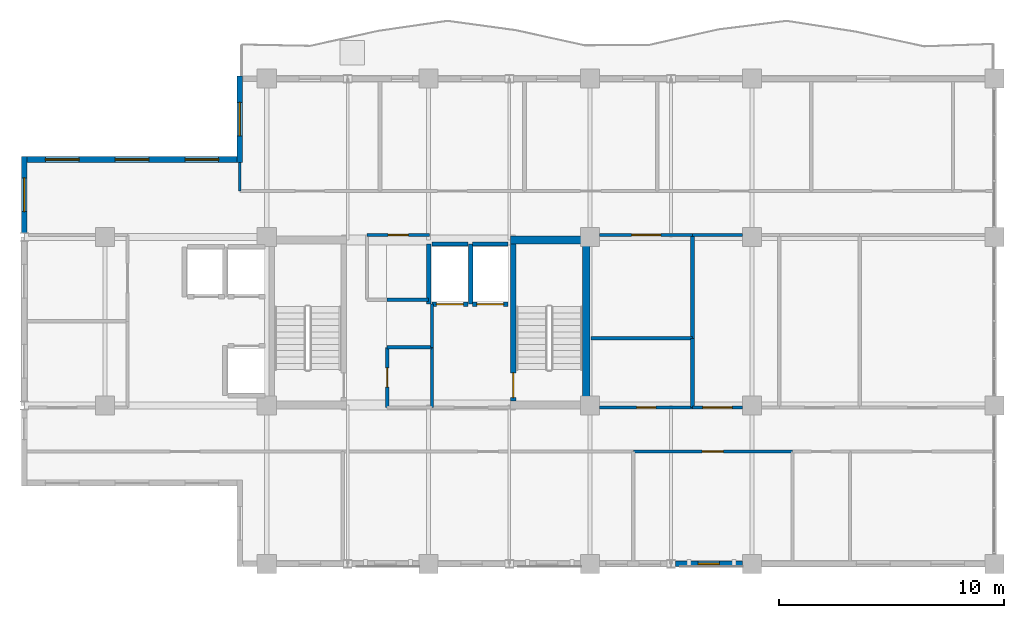
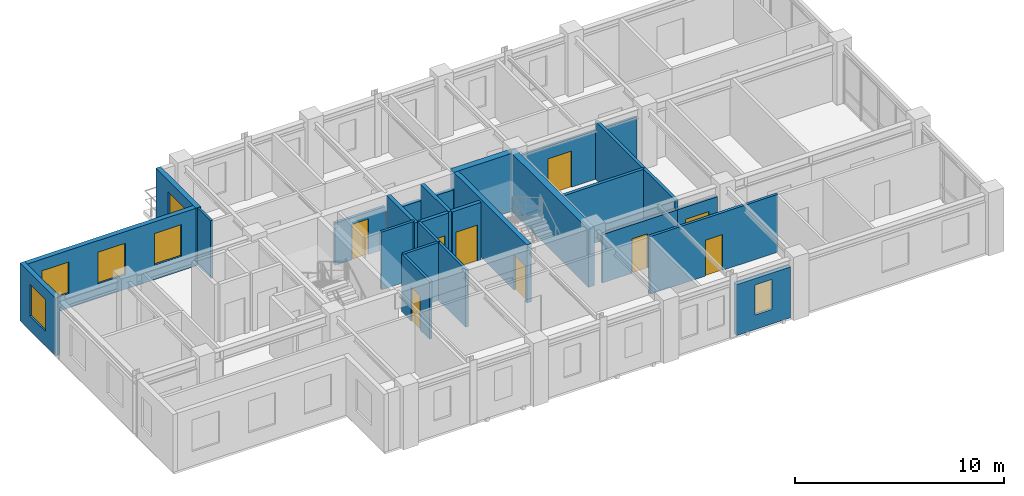
# One storey, part 7 of 10: 28 walls, 9 doors, 6 windows, 15 openings.
"""IFC4 building model written with IfcOpenShell, lengths in metres."""

from ifc_helpers import new_model, si_unit, direction, frame, frame_2d, origin, place, context, subcontext, project, spatial, rectangle, extrude, material, layer, layer_set, type_object, element, fill, save


model = new_model("IFC4")

# Units and contexts
model_context = context("Model", 3, precision=1e-05, world=origin(), true_north=direction((0.0, 1.0)))
body_context = subcontext(model_context, "Body", "Model", "MODEL_VIEW")
ifc_project = project(units=[si_unit("LENGTHUNIT", "METRE"), si_unit("AREAUNIT", "SQUARE_METRE"), si_unit("VOLUMEUNIT", "CUBIC_METRE"), si_unit("PLANEANGLEUNIT", "RADIAN"), si_unit("MASSUNIT", "GRAM", prefix="KILO")], contexts=[model_context])

# Site, building, storey
site_placement = place(None, origin())
site = spatial("IfcSite", under=ifc_project, at=site_placement, CompositionType="ELEMENT")
building_placement = place(site_placement, origin())
building = spatial("IfcBuilding", under=site, at=building_placement, Name="Kaliganga Portal Commons", CompositionType="ELEMENT")
storey_placement = place(building_placement, frame((0.0, 0.0, 294.300048828125)))
storey = spatial("IfcBuildingStorey", under=building, at=storey_placement, Name="L76", CompositionType="ELEMENT", Elevation=294.300048828125)

# Walls
ifc_material_1 = material(Name="Concrete C50/60", Category="concrete")
ifc_layer_1 = layer(ifc_material_1, 0.35009765625)
ifc_layer_set_1 = layer_set([ifc_layer_1], Name="Concrete C50/60")
wall_type_1 = type_object("IfcWallType", Name="WL-CORE-350", PredefinedType="SHEAR", material=ifc_layer_set_1)
wall_1_placement = place(storey_placement, frame((28.625, 28.5, 0.0), z_axis=(0.0, 0.0, 1.0), x_axis=(0.0, 1.0, 0.0)))
element("IfcWall", 1, at=wall_1_placement, inside=storey, type_object=wall_type_1, Name="Core A East Shear Wall L76", PredefinedType="SHEAR", context=body_context, shape_type="SweptSolid", body=[
    extrude(rectangle(XDim=7.699951171875, YDim=0.35009765625, at=frame_2d((3.85009765625, 0.0))), origin(), (0.0, 0.0, 1.0), 3.39990234375),
])
wall_2_placement = place(storey_placement, frame((25.25, 36.02490234375, 0.0), z_axis=(0.0, 0.0, 1.0), x_axis=(1.0, 0.0, 0.0)))
element("IfcWall", 2, at=wall_2_placement, inside=storey, type_object=wall_type_1, Name="Core A N-East Shear Wall L76", PredefinedType="SHEAR", context=body_context, shape_type="SweptSolid", body=[
    extrude(rectangle(XDim=3.199951171875, YDim=0.35009765625, at=frame_2d((1.60009765625, 0.0))), origin(), (0.0, 0.0, 1.0), 3.39990234375),
])

# Wall, opening, window
ifc_material_2 = material(Name="Insulated Aluminium-Clad Spandrel Assembly", Category="aluminium")
ifc_layer_2 = layer(ifc_material_2, 0.260009765625)
ifc_layer_set_2 = layer_set([ifc_layer_2], Name="Insulated Aluminium-Clad Spandrel Assembly")
wall_type_2 = type_object("IfcWallType", Name="WL-EXT-SPAND-260", PredefinedType="STANDARD", material=ifc_layer_set_2)
wall_3_placement = place(storey_placement, frame((35.573974609375, 21.60009765625, 0.0), z_axis=(0.0, 0.0, 1.0), x_axis=(-1.0, 0.0, 0.0)))
wall_3 = element("IfcWall", 3, at=wall_3_placement, inside=storey, type_object=wall_type_2, Name="Exterior Envelope Wall L76 P1-E00-S7", PredefinedType="STANDARD", context=body_context, shape_type="SweptSolid", body=[
    extrude(rectangle(XDim=2.986083984375, YDim=0.260009765625, at=frame_2d((1.4931640625, 0.0))), origin(), (0.0, 0.0, 1.0), 2.97998046875),
])
opening_1_placement = place(wall_3_placement, frame((1.01806640625, 0.0, 0.85009765625)))
opening_1 = element("IfcOpeningElement", 4, at=opening_1_placement, cuts=wall_3, Name="Opening W-04", PredefinedType="OPENING", context=body_context, shape_type="SweptSolid", body=[
    extrude(rectangle(XDim=0.949951171875, YDim=1.75, at=frame_2d((0.47509765625, 0.875))), frame((0.0, 0.14013671875, 0.0), z_axis=(0.0, -1.0, 0.0), x_axis=(1.0, 0.0, 0.0)), (0.0, 0.0, 1.0), 0.280029296875),
])
ifc_material_3 = material(Name="Thermally Broken Aluminium and Low-E Double Glazing", Category="aluminium")
window_type_1 = type_object("IfcWindowType", Name="WIN-NARROW-950", PartitioningType="SINGLE_PANEL", PredefinedType="WINDOW", material=ifc_material_3)
window_1_placement = place(opening_1_placement, origin())
window_1 = element("IfcWindow", 5, at=window_1_placement, inside=storey, type_object=window_type_1, Name="Facade Window L76-P1E00S7-00", OverallHeight=1.75, OverallWidth=0.949951171875, PartitioningType="SINGLE_PANEL", PredefinedType="WINDOW", context=body_context, shape_type="SweptSolid", body=[
    extrude(rectangle(XDim=0.949951171875, YDim=1.75, at=frame_2d((0.47509765625, 0.875))), frame((0.0, 0.030029296875, 0.0), z_axis=(0.0, -1.0, 0.0), x_axis=(1.0, 0.0, 0.0)), (0.0, 0.0, 1.0), 0.06005859375),
])
fill(opening_1, window_1)

wall_4_placement = place(storey_placement, frame((13.199951171875, 39.469970703125, 0.0), z_axis=(0.0, 0.0, 1.0), x_axis=(0.0, 1.0, 0.0)))
wall_4 = element("IfcWall", 6, at=wall_4_placement, inside=storey, type_object=wall_type_2, Name="Exterior Envelope Wall L76 P1-E03-S1", PredefinedType="STANDARD", context=body_context, shape_type="SweptSolid", body=[
    extrude(rectangle(XDim=3.860107421875, YDim=0.260009765625, at=frame_2d((1.93017578125, 0.0))), origin(), (0.0, 0.0, 1.0), 3.3798828125),
])
opening_2_placement = place(wall_4_placement, frame((1.179931640625, 0.0, 0.85009765625)))
opening_2 = element("IfcOpeningElement", 7, at=opening_2_placement, cuts=wall_4, Name="Opening W-02", PredefinedType="OPENING", context=body_context, shape_type="SweptSolid", body=[
    extrude(rectangle(XDim=1.5, YDim=1.85009765625, at=frame_2d((0.75, 0.925048828125))), frame((0.0, 0.14013671875, 0.0), z_axis=(0.0, -1.0, 0.0), x_axis=(1.0, 0.0, 0.0)), (0.0, 0.0, 1.0), 0.280029296875),
])
window_type_2 = type_object("IfcWindowType", Name="WIN-STD-1500", PartitioningType="DOUBLE_PANEL_VERTICAL", PredefinedType="WINDOW", material=ifc_material_3)
window_2_placement = place(opening_2_placement, origin())
window_2 = element("IfcWindow", 8, at=window_2_placement, inside=storey, type_object=window_type_2, Name="Facade Window L76-P1E03S1-00", OverallHeight=1.85009765625, OverallWidth=1.5, PartitioningType="SINGLE_PANEL", PredefinedType="WINDOW", context=body_context, shape_type="SweptSolid", body=[
    extrude(rectangle(XDim=1.5, YDim=1.85009765625, at=frame_2d((0.75, 0.925048828125))), frame((0.0, 0.030029296875, 0.0), z_axis=(0.0, -1.0, 0.0), x_axis=(1.0, 0.0, 0.0)), (0.0, 0.0, 1.0), 0.06005859375),
])
fill(opening_2, window_2)

# Wall, openings, windows
wall_5_placement = place(storey_placement, frame((3.735107421875, 39.60009765625, 0.0), z_axis=(0.0, 0.0, 1.0), x_axis=(1.0, 0.0, 0.0)))
wall_5 = element("IfcWall", 9, at=wall_5_placement, inside=storey, type_object=wall_type_2, Name="Exterior Envelope Wall L76 P1-E04-S1", PredefinedType="STANDARD", context=body_context, shape_type="SweptSolid", body=[
    extrude(rectangle(XDim=9.329833984375, YDim=0.260009765625, at=frame_2d((4.6650390625, 0.0))), origin(), (0.0, 0.0, 1.0), 3.3798828125),
])
opening_3_placement = place(wall_5_placement, frame((0.804931640625, 0.0, 0.85009765625)))
opening_3 = element("IfcOpeningElement", 10, at=opening_3_placement, cuts=wall_5, Name="Opening W-02", PredefinedType="OPENING", context=body_context, shape_type="SweptSolid", body=[
    extrude(rectangle(XDim=1.5, YDim=1.85009765625, at=frame_2d((0.75, 0.925048828125))), frame((0.0, 0.14013671875, 0.0), z_axis=(0.0, -1.0, 0.0), x_axis=(1.0, 0.0, 0.0)), (0.0, 0.0, 1.0), 0.280029296875),
])
opening_4_placement = place(wall_5_placement, frame((3.9150390625, 0.0, 0.85009765625)))
opening_4 = element("IfcOpeningElement", 11, at=opening_4_placement, cuts=wall_5, Name="Opening W-02", PredefinedType="OPENING", context=body_context, shape_type="SweptSolid", body=[
    extrude(rectangle(XDim=1.5, YDim=1.85009765625, at=frame_2d((0.75, 0.925048828125))), frame((0.0, 0.14013671875, 0.0), z_axis=(0.0, -1.0, 0.0), x_axis=(1.0, 0.0, 0.0)), (0.0, 0.0, 1.0), 0.280029296875),
])
opening_5_placement = place(wall_5_placement, frame((7.02490234375, 0.0, 0.85009765625)))
opening_5 = element("IfcOpeningElement", 12, at=opening_5_placement, cuts=wall_5, Name="Opening W-02", PredefinedType="OPENING", context=body_context, shape_type="SweptSolid", body=[
    extrude(rectangle(XDim=1.5, YDim=1.85009765625, at=frame_2d((0.75, 0.925048828125))), frame((0.0, 0.14013671875, 0.0), z_axis=(0.0, -1.0, 0.0), x_axis=(1.0, 0.0, 0.0)), (0.0, 0.0, 1.0), 0.280029296875),
])
window_3_placement = place(opening_3_placement, origin())
window_3 = element("IfcWindow", 13, at=window_3_placement, inside=storey, type_object=window_type_2, Name="Facade Window L76-P1E04S1-00", OverallHeight=1.85009765625, OverallWidth=1.5, PartitioningType="SINGLE_PANEL", PredefinedType="WINDOW", context=body_context, shape_type="SweptSolid", body=[
    extrude(rectangle(XDim=1.5, YDim=1.85009765625, at=frame_2d((0.75, 0.925048828125))), frame((0.0, 0.030029296875, 0.0), z_axis=(0.0, -1.0, 0.0), x_axis=(1.0, 0.0, 0.0)), (0.0, 0.0, 1.0), 0.06005859375),
])
fill(opening_3, window_3)
window_4_placement = place(opening_4_placement, origin())
window_4 = element("IfcWindow", 14, at=window_4_placement, inside=storey, type_object=window_type_2, Name="Facade Window L76-P1E04S1-01", OverallHeight=1.85009765625, OverallWidth=1.5, PartitioningType="SINGLE_PANEL", PredefinedType="WINDOW", context=body_context, shape_type="SweptSolid", body=[
    extrude(rectangle(XDim=1.5, YDim=1.85009765625, at=frame_2d((0.75, 0.925048828125))), frame((0.0, 0.030029296875, 0.0), z_axis=(0.0, -1.0, 0.0), x_axis=(1.0, 0.0, 0.0)), (0.0, 0.0, 1.0), 0.06005859375),
])
fill(opening_4, window_4)
window_5_placement = place(opening_5_placement, origin())
window_5 = element("IfcWindow", 15, at=window_5_placement, inside=storey, type_object=window_type_2, Name="Facade Window L76-P1E04S1-02", OverallHeight=1.85009765625, OverallWidth=1.5, PartitioningType="SINGLE_PANEL", PredefinedType="WINDOW", context=body_context, shape_type="SweptSolid", body=[
    extrude(rectangle(XDim=1.5, YDim=1.85009765625, at=frame_2d((0.75, 0.925048828125))), frame((0.0, 0.030029296875, 0.0), z_axis=(0.0, -1.0, 0.0), x_axis=(1.0, 0.0, 0.0)), (0.0, 0.0, 1.0), 0.06005859375),
])
fill(opening_5, window_5)

# Wall, opening, window
wall_6_placement = place(storey_placement, frame((3.60009765625, 36.3369140625, 0.0), z_axis=(0.0, 0.0, 1.0), x_axis=(0.0, 1.0, 0.0)))
wall_6 = element("IfcWall", 16, at=wall_6_placement, inside=storey, type_object=wall_type_2, Name="Exterior Envelope Wall L76 P1-E05-S1", PredefinedType="STANDARD", context=body_context, shape_type="SweptSolid", body=[
    extrude(rectangle(XDim=3.39306640625, YDim=0.260009765625, at=frame_2d((1.696533203125, 0.0))), origin(), (0.0, 0.0, 1.0), 3.3798828125),
])
opening_6_placement = place(wall_6_placement, frame((0.946533203125, 0.0, 0.85009765625)))
opening_6 = element("IfcOpeningElement", 17, at=opening_6_placement, cuts=wall_6, Name="Opening W-02", PredefinedType="OPENING", context=body_context, shape_type="SweptSolid", body=[
    extrude(rectangle(XDim=1.5, YDim=1.85009765625, at=frame_2d((0.75, 0.925048828125))), frame((0.0, 0.14013671875, 0.0), z_axis=(0.0, -1.0, 0.0), x_axis=(1.0, 0.0, 0.0)), (0.0, 0.0, 1.0), 0.280029296875),
])
window_6_placement = place(opening_6_placement, origin())
window_6 = element("IfcWindow", 18, at=window_6_placement, inside=storey, type_object=window_type_2, Name="Facade Window L76-P1E05S1-00", OverallHeight=1.85009765625, OverallWidth=1.5, PartitioningType="SINGLE_PANEL", PredefinedType="WINDOW", context=body_context, shape_type="SweptSolid", body=[
    extrude(rectangle(XDim=1.5, YDim=1.85009765625, at=frame_2d((0.75, 0.925048828125))), frame((0.0, 0.030029296875, 0.0), z_axis=(0.0, -1.0, 0.0), x_axis=(1.0, 0.0, 0.0)), (0.0, 0.0, 1.0), 0.06005859375),
])
fill(opening_6, window_6)

# Wall, opening, door
ifc_material_4 = material(Name="Fire-Rated Gypsum Board on Steel Stud", Category="steel")
ifc_layer_3 = layer(ifc_material_4, 0.14990234375)
ifc_layer_set_3 = layer_set([ifc_layer_3], Name="Fire-Rated Gypsum Board on Steel Stud")
wall_type_3 = type_object("IfcWallType", Name="WL-PART-CORR-150", PredefinedType="PARTITIONING", material=ifc_layer_set_3)
wall_7_placement = place(storey_placement, frame((30.719970703125, 26.60009765625, 0.0), z_axis=(0.0, 0.0, 1.0), x_axis=(1.0, 0.0, 0.0)))
wall_7 = element("IfcWall", 19, at=wall_7_placement, inside=storey, type_object=wall_type_3, Name="Interior Partition L76-003", PredefinedType="PARTITIONING", context=body_context, shape_type="SweptSolid", body=[
    extrude(rectangle(XDim=7.080078125, YDim=0.14990234375, at=frame_2d((3.5400390625, 0.0))), origin(), (0.0, 0.0, 1.0), 3.3798828125),
])
opening_7_placement = place(wall_7_placement, frame((3.06494140625, 0.0, 0.0)))
opening_7 = element("IfcOpeningElement", 20, at=opening_7_placement, cuts=wall_7, Name="Opening UD-01", PredefinedType="OPENING", context=body_context, shape_type="SweptSolid", body=[
    extrude(rectangle(XDim=0.949951171875, YDim=2.10009765625, at=frame_2d((0.47509765625, 1.050048828125))), frame((0.0, 0.0849609375, 0.0), z_axis=(0.0, -1.0, 0.0), x_axis=(1.0, 0.0, 0.0)), (0.0, 0.0, 1.0), 0.169921875),
])
ifc_material_5 = material(Name="Solid-Core Timber Acoustic Fire Door", Category="wood")
door_type_1 = type_object("IfcDoorType", Name="DR-UNIT-950", OperationType="NOTDEFINED", PredefinedType="DOOR", material=ifc_material_5)
door_1_placement = place(opening_7_placement, origin())
door_1 = element("IfcDoor", 21, at=door_1_placement, inside=storey, type_object=door_type_1, Name="Interior Door L76-AS03", OperationType="SINGLE_SWING_LEFT", OverallHeight=2.10009765625, OverallWidth=0.949951171875, PredefinedType="DOOR", context=body_context, shape_type="SweptSolid", body=[
    extrude(rectangle(XDim=0.949951171875, YDim=2.10009765625, at=frame_2d((0.47509765625, 1.050048828125))), frame((0.0, 0.02490234375, 0.0), z_axis=(0.0, -1.0, 0.0), x_axis=(1.0, 0.0, 0.0)), (0.0, 0.0, 1.0), 0.050048828125),
])
fill(opening_7, door_1)

wall_8_placement = place(storey_placement, frame((29.22509765625, 28.56005859375, 0.0), z_axis=(0.0, 0.0, 1.0), x_axis=(1.0, 0.0, 0.0)))
wall_8 = element("IfcWall", 22, at=wall_8_placement, inside=storey, type_object=wall_type_3, Name="Interior Partition L76-014", PredefinedType="PARTITIONING", context=body_context, shape_type="SweptSolid", body=[
    extrude(rectangle(XDim=4.135009765625, YDim=0.14990234375, at=frame_2d((2.0673828125, 0.0))), origin(), (0.0, 0.0, 1.0), 2.829833984375),
])
opening_8_placement = place(wall_8_placement, frame((1.637451171875, 0.0, 0.0)))
opening_8 = element("IfcOpeningElement", 23, at=opening_8_placement, cuts=wall_8, Name="Opening WD-02", PredefinedType="OPENING", context=body_context, shape_type="SweptSolid", body=[
    extrude(rectangle(XDim=0.860107421875, YDim=2.02001953125, at=frame_2d((0.43017578125, 1.010009765625))), frame((0.0, 0.0849609375, 0.0), z_axis=(0.0, -1.0, 0.0), x_axis=(1.0, 0.0, 0.0)), (0.0, 0.0, 1.0), 0.169921875),
])
ifc_material_6 = material(Name="Fire-Rated Utility Closet Door", Category="wood")
door_type_2 = type_object("IfcDoorType", Name="DR-STORE-800", OperationType="NOTDEFINED", PredefinedType="DOOR", material=ifc_material_6)
door_2_placement = place(opening_8_placement, origin())
door_2 = element("IfcDoor", 24, at=door_2_placement, inside=storey, type_object=door_type_2, Name="Interior Door L76-CSRV_A1", OperationType="SINGLE_SWING_RIGHT", OverallHeight=2.02001953125, OverallWidth=0.860107421875, PredefinedType="DOOR", context=body_context, shape_type="SweptSolid", body=[
    extrude(rectangle(XDim=0.860107421875, YDim=2.02001953125, at=frame_2d((0.43017578125, 1.010009765625))), frame((0.0, 0.02490234375, 0.0), z_axis=(0.0, -1.0, 0.0), x_axis=(1.0, 0.0, 0.0)), (0.0, 0.0, 1.0), 0.050048828125),
])
fill(opening_8, door_2)

wall_9_placement = place(storey_placement, frame((29.22509765625, 36.239990234375, 0.0), z_axis=(0.0, 0.0, 1.0), x_axis=(1.0, 0.0, 0.0)))
wall_9 = element("IfcWall", 25, at=wall_9_placement, inside=storey, type_object=wall_type_3, Name="Interior Partition L76-015", PredefinedType="PARTITIONING", context=body_context, shape_type="SweptSolid", body=[
    extrude(rectangle(XDim=4.135009765625, YDim=0.14990234375, at=frame_2d((2.0673828125, 0.0))), origin(), (0.0, 0.0, 1.0), 2.829833984375),
])
opening_9_placement = place(wall_9_placement, frame((1.41748046875, 0.0, 0.0)))
opening_9 = element("IfcOpeningElement", 26, at=opening_9_placement, cuts=wall_9, Name="Opening RD-03", PredefinedType="OPENING", context=body_context, shape_type="SweptSolid", body=[
    extrude(rectangle(XDim=1.300048828125, YDim=2.1201171875, at=frame_2d((0.64990234375, 1.06005859375))), frame((0.0, 0.0849609375, 0.0), z_axis=(0.0, -1.0, 0.0), x_axis=(1.0, 0.0, 0.0)), (0.0, 0.0, 1.0), 0.169921875),
])
ifc_material_7 = material(Name="Glazed Timber Seminar Vision Door", Category="wood")
door_type_3 = type_object("IfcDoorType", Name="DR-STUDY-1300", OperationType="DOUBLE_DOOR_SINGLE_SWING", PredefinedType="DOOR", material=ifc_material_7)
door_3_placement = place(opening_9_placement, origin())
door_3 = element("IfcDoor", 27, at=door_3_placement, inside=storey, type_object=door_type_3, Name="Interior Door L76-CSRV_A2", OperationType="DOUBLE_DOOR_SINGLE_SWING", OverallHeight=2.1201171875, OverallWidth=1.300048828125, PredefinedType="DOOR", context=body_context, shape_type="SweptSolid", body=[
    extrude(rectangle(XDim=1.300048828125, YDim=2.1201171875, at=frame_2d((0.64990234375, 1.06005859375))), frame((0.0, 0.02490234375, 0.0), z_axis=(0.0, -1.0, 0.0), x_axis=(1.0, 0.0, 0.0)), (0.0, 0.0, 1.0), 0.050048828125),
])
fill(opening_9, door_3)

wall_10_placement = place(storey_placement, frame((33.360107421875, 28.56005859375, 0.0), z_axis=(0.0, 0.0, 1.0), x_axis=(1.0, 0.0, 0.0)))
wall_10 = element("IfcWall", 28, at=wall_10_placement, inside=storey, type_object=wall_type_3, Name="Interior Partition L76-016", PredefinedType="PARTITIONING", context=body_context, shape_type="SweptSolid", body=[
    extrude(rectangle(XDim=2.21484375, YDim=0.14990234375, at=frame_2d((1.107421875, 0.0))), origin(), (0.0, 0.0, 1.0), 2.829833984375),
])
opening_10_placement = place(wall_10_placement, frame((0.45751953125, 0.0, 0.0)))
opening_10 = element("IfcOpeningElement", 29, at=opening_10_placement, cuts=wall_10, Name="Opening RD-03", PredefinedType="OPENING", context=body_context, shape_type="SweptSolid", body=[
    extrude(rectangle(XDim=1.300048828125, YDim=2.1201171875, at=frame_2d((0.64990234375, 1.06005859375))), frame((0.0, 0.0849609375, 0.0), z_axis=(0.0, -1.0, 0.0), x_axis=(1.0, 0.0, 0.0)), (0.0, 0.0, 1.0), 0.169921875),
])
door_4_placement = place(opening_10_placement, origin())
door_4 = element("IfcDoor", 30, at=door_4_placement, inside=storey, type_object=door_type_3, Name="Interior Door L76-AE01", OperationType="DOUBLE_DOOR_SINGLE_SWING", OverallHeight=2.1201171875, OverallWidth=1.300048828125, PredefinedType="DOOR", context=body_context, shape_type="SweptSolid", body=[
    extrude(rectangle(XDim=1.300048828125, YDim=2.1201171875, at=frame_2d((0.64990234375, 1.06005859375))), frame((0.0, 0.02490234375, 0.0), z_axis=(0.0, -1.0, 0.0), x_axis=(1.0, 0.0, 0.0)), (0.0, 0.0, 1.0), 0.050048828125),
])
fill(opening_10, door_4)

# Wall
wall_11_placement = place(storey_placement, frame((33.360107421875, 36.239990234375, 0.0), z_axis=(0.0, 0.0, 1.0), x_axis=(1.0, 0.0, 0.0)))
element("IfcWall", 31, at=wall_11_placement, inside=storey, type_object=wall_type_3, Name="Interior Partition L76-018", PredefinedType="PARTITIONING", context=body_context, shape_type="SweptSolid", body=[
    extrude(rectangle(XDim=2.21484375, YDim=0.14990234375, at=frame_2d((1.107421875, 0.0))), origin(), (0.0, 0.0, 1.0), 2.829833984375),
])

# Wall, opening, door
wall_12_placement = place(storey_placement, frame((18.860107421875, 36.239990234375, 0.0), z_axis=(0.0, 0.0, 1.0), x_axis=(1.0, 0.0, 0.0)))
wall_12 = element("IfcWall", 32, at=wall_12_placement, inside=storey, type_object=wall_type_3, Name="Interior Partition L76-025", PredefinedType="PARTITIONING", context=body_context, shape_type="SweptSolid", body=[
    extrude(rectangle(XDim=2.77978515625, YDim=0.14990234375, at=frame_2d((1.389892578125, 0.0))), origin(), (0.0, 0.0, 1.0), 2.47998046875),
])
opening_11_placement = place(wall_12_placement, frame((0.93994140625, 0.0, 0.0)))
opening_11 = element("IfcOpeningElement", 33, at=opening_11_placement, cuts=wall_12, Name="Opening RD-01", PredefinedType="OPENING", context=body_context, shape_type="SweptSolid", body=[
    extrude(rectangle(XDim=0.89990234375, YDim=2.080078125, at=frame_2d((0.449951171875, 1.0400390625))), frame((0.0, 0.0849609375, 0.0), z_axis=(0.0, -1.0, 0.0), x_axis=(1.0, 0.0, 0.0)), (0.0, 0.0, 1.0), 0.169921875),
])
ifc_material_8 = material(Name="Engineered Timber Flush Door", Category="wood")
door_type_4 = type_object("IfcDoorType", Name="DR-ROOM-900", OperationType="NOTDEFINED", PredefinedType="DOOR", material=ifc_material_8)
door_5_placement = place(opening_11_placement, origin())
door_5 = element("IfcDoor", 34, at=door_5_placement, inside=storey, type_object=door_type_4, Name="Interior Door L76-CREC_A1", OperationType="SINGLE_SWING_LEFT", OverallHeight=2.080078125, OverallWidth=0.89990234375, PredefinedType="DOOR", context=body_context, shape_type="SweptSolid", body=[
    extrude(rectangle(XDim=0.89990234375, YDim=2.080078125, at=frame_2d((0.449951171875, 1.0400390625))), frame((0.0, 0.02490234375, 0.0), z_axis=(0.0, -1.0, 0.0), x_axis=(1.0, 0.0, 0.0)), (0.0, 0.0, 1.0), 0.050048828125),
])
fill(opening_11, door_5)

wall_13_placement = place(storey_placement, frame((19.760009765625, 28.56005859375, 0.0), z_axis=(0.0, 0.0, 1.0), x_axis=(0.0, 1.0, 0.0)))
wall_13 = element("IfcWall", 35, at=wall_13_placement, inside=storey, type_object=wall_type_3, Name="Interior Partition L76-026", PredefinedType="PARTITIONING", context=body_context, shape_type="SweptSolid", body=[
    extrude(rectangle(XDim=2.679931640625, YDim=0.14990234375, at=frame_2d((1.33984375, 0.0))), origin(), (0.0, 0.0, 1.0), 3.3798828125),
])
opening_12_placement = place(wall_13_placement, frame((0.909912109375, 0.0, 0.0)))
opening_12 = element("IfcOpeningElement", 36, at=opening_12_placement, cuts=wall_13, Name="Opening WD-02", PredefinedType="OPENING", context=body_context, shape_type="SweptSolid", body=[
    extrude(rectangle(XDim=0.860107421875, YDim=2.02001953125, at=frame_2d((0.43017578125, 1.010009765625))), frame((0.0, 0.0849609375, 0.0), z_axis=(0.0, -1.0, 0.0), x_axis=(1.0, 0.0, 0.0)), (0.0, 0.0, 1.0), 0.169921875),
])
door_6_placement = place(opening_12_placement, origin())
door_6 = element("IfcDoor", 37, at=door_6_placement, inside=storey, type_object=door_type_2, Name="Interior Door L76-CIN_A1", OperationType="SINGLE_SWING_RIGHT", OverallHeight=2.02001953125, OverallWidth=0.860107421875, PredefinedType="DOOR", context=body_context, shape_type="SweptSolid", body=[
    extrude(rectangle(XDim=0.860107421875, YDim=2.02001953125, at=frame_2d((0.43017578125, 1.010009765625))), frame((0.0, 0.02490234375, 0.0), z_axis=(0.0, -1.0, 0.0), x_axis=(1.0, 0.0, 0.0)), (0.0, 0.0, 1.0), 0.050048828125),
])
fill(opening_12, door_6)

# Walls
wall_14_placement = place(storey_placement, frame((21.760009765625, 28.56005859375, 0.0), z_axis=(0.0, 0.0, 1.0), x_axis=(0.0, 1.0, 0.0)))
element("IfcWall", 38, at=wall_14_placement, inside=storey, type_object=wall_type_3, Name="Interior Partition L76-027", PredefinedType="PARTITIONING", context=body_context, shape_type="SweptSolid", body=[
    extrude(rectangle(XDim=2.679931640625, YDim=0.14990234375, at=frame_2d((1.33984375, 0.0))), origin(), (0.0, 0.0, 1.0), 3.3798828125),
])
wall_15_placement = place(storey_placement, frame((19.760009765625, 31.239990234375, 0.0), z_axis=(0.0, 0.0, 1.0), x_axis=(1.0, 0.0, 0.0)))
element("IfcWall", 39, at=wall_15_placement, inside=storey, type_object=wall_type_3, Name="Interior Partition L76-030", PredefinedType="PARTITIONING", context=body_context, shape_type="SweptSolid", body=[
    extrude(rectangle(XDim=2.0, YDim=0.14990234375, at=frame_2d((1.0, 0.0))), origin(), (0.0, 0.0, 1.0), 3.3798828125),
])
wall_16_placement = place(storey_placement, frame((19.760009765625, 33.360107421875, 0.0), z_axis=(0.0, 0.0, 1.0), x_axis=(1.0, 0.0, 0.0)))
element("IfcWall", 40, at=wall_16_placement, inside=storey, type_object=wall_type_3, Name="Interior Partition L76-031", PredefinedType="PARTITIONING", context=body_context, shape_type="SweptSolid", body=[
    extrude(rectangle(XDim=1.85009765625, YDim=0.14990234375, at=frame_2d((0.925048828125, 0.0))), origin(), (0.0, 0.0, 1.0), 3.3798828125),
])
wall_17_placement = place(storey_placement, frame((21.760009765625, 31.239990234375, 0.0), z_axis=(0.0, 0.0, 1.0), x_axis=(0.0, 1.0, 0.0)))
element("IfcWall", 41, at=wall_17_placement, inside=storey, type_object=wall_type_3, Name="Interior Partition L76-053", PredefinedType="PARTITIONING", context=body_context, shape_type="SweptSolid", body=[
    extrude(rectangle(XDim=1.919921875, YDim=0.14990234375, at=frame_2d((0.9599609375, 0.0))), origin(), (0.0, 0.0, 1.0), 3.3798828125),
])
ifc_material_9 = material(Name="Moisture-Resistant Gypsum Partition", Category="gypsum")
ifc_layer_4 = layer(ifc_material_9, 0.114990234375)
ifc_layer_set_4 = layer_set([ifc_layer_4], Name="Moisture-Resistant Gypsum Partition")
wall_type_4 = type_object("IfcWallType", Name="WL-PART-ROOM-115", PredefinedType="PARTITIONING", material=ifc_layer_set_4)
wall_18_placement = place(storey_placement, frame((13.199951171875, 38.199951171875, 0.0), z_axis=(0.0, 0.0, 1.0), x_axis=(0.0, 1.0, 0.0)))
element("IfcWall", 42, at=wall_18_placement, inside=storey, type_object=wall_type_4, Name="Interior Partition L76-036", PredefinedType="PARTITIONING", context=body_context, shape_type="SweptSolid", body=[
    extrude(rectangle(XDim=1.26806640625, YDim=0.114990234375, at=frame_2d((0.634033203125, 0.0))), origin(), (0.0, 0.0, 1.0), 3.3798828125),
])
ifc_material_10 = material(Name="Twin-Stud Acoustic Gypsum Partition", Category="gypsum")
ifc_layer_5 = layer(ifc_material_10, 0.1650390625)
ifc_layer_set_5 = layer_set([ifc_layer_5], Name="Twin-Stud Acoustic Gypsum Partition")
wall_type_5 = type_object("IfcWallType", Name="WL-PART-UNIT-165", PredefinedType="PARTITIONING", material=ifc_layer_set_5)
wall_19_placement = place(storey_placement, frame((33.360107421875, 31.639892578125, 0.0), z_axis=(0.0, 0.0, 1.0), x_axis=(0.0, 1.0, 0.0)))
element("IfcWall", 43, at=wall_19_placement, inside=storey, type_object=wall_type_5, Name="Interior Partition L76-046", PredefinedType="PARTITIONING", context=body_context, shape_type="SweptSolid", body=[
    extrude(rectangle(XDim=4.60009765625, YDim=0.1650390625, at=frame_2d((2.300048828125, 0.0))), origin(), (0.0, 0.0, 1.0), 3.3798828125),
])
wall_20_placement = place(storey_placement, frame((28.840087890625, 31.639892578125, 0.0), z_axis=(0.0, 0.0, 1.0), x_axis=(1.0, 0.0, 0.0)))
element("IfcWall", 44, at=wall_20_placement, inside=storey, type_object=wall_type_5, Name="Interior Partition L76-050", PredefinedType="PARTITIONING", context=body_context, shape_type="SweptSolid", body=[
    extrude(rectangle(XDim=4.52001953125, YDim=0.1650390625, at=frame_2d((2.260009765625, 0.0))), origin(), (0.0, 0.0, 1.0), 3.3798828125),
])
wall_21_placement = place(storey_placement, frame((33.360107421875, 28.56005859375, 0.0), z_axis=(0.0, 0.0, 1.0), x_axis=(0.0, 1.0, 0.0)))
element("IfcWall", 45, at=wall_21_placement, inside=storey, type_object=wall_type_5, Name="Interior Partition L76-052", PredefinedType="PARTITIONING", context=body_context, shape_type="SweptSolid", body=[
    extrude(rectangle(XDim=3.079833984375, YDim=0.1650390625, at=frame_2d((1.5400390625, 0.0))), origin(), (0.0, 0.0, 1.0), 3.3798828125),
])

# Wall, opening, door
ifc_material_11 = material(Name="Fire-Rated Shaftwall Masonry Assembly", Category="masonry")
ifc_layer_6 = layer(ifc_material_11, 0.199951171875)
ifc_layer_set_6 = layer_set([ifc_layer_6], Name="Fire-Rated Shaftwall Masonry Assembly")
wall_type_6 = type_object("IfcWallType", Name="WL-SHAFT-200", PredefinedType="PARTITIONING", material=ifc_layer_set_6)
wall_22_placement = place(storey_placement, frame((21.75, 33.159912109375, 0.0), z_axis=(0.0, 0.0, 1.0), x_axis=(1.0, 0.0, 0.0)))
wall_22 = element("IfcWall", 46, at=wall_22_placement, inside=storey, type_object=wall_type_6, Name="Lift FFL-1 Hoistway Shaft Wall L76-S", PredefinedType="PARTITIONING", context=body_context, shape_type="SweptSolid", body=[
    extrude(rectangle(XDim=1.60009765625, YDim=0.199951171875, at=frame_2d((0.800048828125, 0.0))), origin(), (0.0, 0.0, 1.0), 3.3798828125),
])
opening_13_placement = place(wall_22_placement, frame((0.199951171875, 0.0, 0.0)))
opening_13 = element("IfcOpeningElement", 47, at=opening_13_placement, cuts=wall_22, Name="Opening LD-02", PredefinedType="OPENING", context=body_context, shape_type="SweptSolid", body=[
    extrude(rectangle(XDim=1.199951171875, YDim=2.1201171875, at=frame_2d((0.60009765625, 1.06005859375))), frame((0.0, 0.10986328125, 0.0), z_axis=(0.0, -1.0, 0.0), x_axis=(1.0, 0.0, 0.0)), (0.0, 0.0, 1.0), 0.219970703125),
])
ifc_material_12 = material(Name="Brushed Stainless Steel 316 Stretcher Lift Landing Door", Category="steel")
door_type_5 = type_object("IfcDoorType", Name="DR-LIFT-1200", OperationType="SLIDING_TO_RIGHT", PredefinedType="DOOR", material=ifc_material_12)
door_7_placement = place(opening_13_placement, origin())
door_7 = element("IfcDoor", 48, at=door_7_placement, inside=storey, type_object=door_type_5, Name="Lift FFL-1 Sliding Landing Door L76", OperationType="SLIDING_TO_RIGHT", OverallHeight=2.1201171875, OverallWidth=1.199951171875, PredefinedType="DOOR", context=body_context, shape_type="SweptSolid", body=[
    extrude(rectangle(XDim=1.199951171875, YDim=2.1201171875, at=frame_2d((0.60009765625, 1.06005859375))), frame((0.0, 0.02490234375, 0.0), z_axis=(0.0, -1.0, 0.0), x_axis=(1.0, 0.0, 0.0)), (0.0, 0.0, 1.0), 0.050048828125),
])
fill(opening_13, door_7)

# Walls
wall_23_placement = place(storey_placement, frame((21.75, 35.840087890625, 0.0), z_axis=(0.0, 0.0, 1.0), x_axis=(1.0, 0.0, 0.0)))
element("IfcWall", 49, at=wall_23_placement, inside=storey, type_object=wall_type_6, Name="Lift FFL-1 Hoistway Shaft Wall L76-N", PredefinedType="PARTITIONING", context=body_context, shape_type="SweptSolid", body=[
    extrude(rectangle(XDim=1.60009765625, YDim=0.199951171875, at=frame_2d((0.800048828125, 0.0))), origin(), (0.0, 0.0, 1.0), 2.47998046875),
])
for number, where, z_axis, x_axis, name in (
    (50, (21.610107421875, 33.159912109375, 0.0), (0.0, 0.0, 1.0), (0.0, 1.0, 0.0), "Lift FFL-1 Hoistway Shaft Wall L76-W"),
    (51, (23.489990234375, 33.159912109375, 0.0), (0.0, 0.0, 1.0), (0.0, 1.0, 0.0), "Lift FFL-1 Hoistway Shaft Wall L76-E"),
):
    element("IfcWall", number, at=place(storey_placement, frame(where, z_axis=z_axis, x_axis=x_axis)), inside=storey, type_object=wall_type_6, Name=name, PredefinedType="PARTITIONING", context=body_context, shape_type="SweptSolid", body=[
        extrude(rectangle(XDim=2.68017578125, YDim=0.199951171875, at=frame_2d((1.340087890625, 0.0))), origin(), (0.0, 0.0, 1.0), 3.3798828125),
    ])

# Wall, opening, door
wall_24_placement = place(storey_placement, frame((23.550048828125, 33.159912109375, 0.0), z_axis=(0.0, 0.0, 1.0), x_axis=(1.0, 0.0, 0.0)))
wall_24 = element("IfcWall", 52, at=wall_24_placement, inside=storey, type_object=wall_type_6, Name="Lift FFL-2 Hoistway Shaft Wall L76-S", PredefinedType="PARTITIONING", context=body_context, shape_type="SweptSolid", body=[
    extrude(rectangle(XDim=1.599853515625, YDim=0.199951171875, at=frame_2d((0.7998046875, 0.0))), origin(), (0.0, 0.0, 1.0), 3.3798828125),
])
opening_14_placement = place(wall_24_placement, frame((0.199951171875, 0.0, 0.0)))
opening_14 = element("IfcOpeningElement", 53, at=opening_14_placement, cuts=wall_24, Name="Opening LD-02", PredefinedType="OPENING", context=body_context, shape_type="SweptSolid", body=[
    extrude(rectangle(XDim=1.199951171875, YDim=2.1201171875, at=frame_2d((0.60009765625, 1.06005859375))), frame((0.0, 0.10986328125, 0.0), z_axis=(0.0, -1.0, 0.0), x_axis=(1.0, 0.0, 0.0)), (0.0, 0.0, 1.0), 0.219970703125),
])
door_8_placement = place(opening_14_placement, origin())
door_8 = element("IfcDoor", 54, at=door_8_placement, inside=storey, type_object=door_type_5, Name="Lift FFL-2 Sliding Landing Door L76", OperationType="SLIDING_TO_RIGHT", OverallHeight=2.1201171875, OverallWidth=1.199951171875, PredefinedType="DOOR", context=body_context, shape_type="SweptSolid", body=[
    extrude(rectangle(XDim=1.199951171875, YDim=2.1201171875, at=frame_2d((0.60009765625, 1.06005859375))), frame((0.0, 0.02490234375, 0.0), z_axis=(0.0, -1.0, 0.0), x_axis=(1.0, 0.0, 0.0)), (0.0, 0.0, 1.0), 0.050048828125),
])
fill(opening_14, door_8)

# Wall
wall_25_placement = place(storey_placement, frame((23.550048828125, 35.840087890625, 0.0), z_axis=(0.0, 0.0, 1.0), x_axis=(1.0, 0.0, 0.0)))
element("IfcWall", 55, at=wall_25_placement, inside=storey, type_object=wall_type_6, Name="Lift FFL-2 Hoistway Shaft Wall L76-N", PredefinedType="PARTITIONING", context=body_context, shape_type="SweptSolid", body=[
    extrude(rectangle(XDim=1.599853515625, YDim=0.199951171875, at=frame_2d((0.7998046875, 0.0))), origin(), (0.0, 0.0, 1.0), 2.47998046875),
])

# Wall, opening, door
ifc_layer_7 = layer(ifc_material_1, 0.25)
ifc_layer_set_7 = layer_set([ifc_layer_7], Name="Concrete C50/60")
wall_type_7 = type_object("IfcWallType", Name="WL-STAIR-250", PredefinedType="SHEAR", material=ifc_layer_set_7)
wall_26_placement = place(storey_placement, frame((25.375, 28.85009765625, 0.0), z_axis=(0.0, 0.0, 1.0), x_axis=(0.0, 1.0, 0.0)))
wall_26 = element("IfcWall", 56, at=wall_26_placement, inside=storey, type_object=wall_type_7, Name="Stair A2 Enclosure Shear Wall L76", PredefinedType="SHEAR", context=body_context, shape_type="SweptSolid", body=[
    extrude(rectangle(XDim=7.0, YDim=0.25, at=frame_2d((3.5, 0.0))), origin(), (0.0, 0.0, 1.0), 3.39990234375),
])
opening_15_placement = place(wall_26_placement, frame((0.14990234375, 0.0, 0.0)))
opening_15 = element("IfcOpeningElement", 57, at=opening_15_placement, cuts=wall_26, Name="Opening SD-01", PredefinedType="OPENING", context=body_context, shape_type="SweptSolid", body=[
    extrude(rectangle(XDim=1.10009765625, YDim=2.080078125, at=frame_2d((0.550048828125, 1.0400390625))), frame((0.0, 0.135009765625, 0.0), z_axis=(0.0, -1.0, 0.0), x_axis=(1.0, 0.0, 0.0)), (0.0, 0.0, 1.0), 0.27001953125),
])
ifc_material_13 = material(Name="Galvanized Steel Fire Door Leaf and Frame", Category="steel")
door_type_6 = type_object("IfcDoorType", Name="DR-STAIR-1100", OperationType="NOTDEFINED", PredefinedType="DOOR", material=ifc_material_13)
door_9_placement = place(opening_15_placement, origin())
door_9 = element("IfcDoor", 58, at=door_9_placement, inside=storey, type_object=door_type_6, Name="Protected Stair ST-A2 Fire Door L76", OperationType="SINGLE_SWING_LEFT", OverallHeight=2.080078125, OverallWidth=1.10009765625, PredefinedType="DOOR", context=body_context, shape_type="SweptSolid", body=[
    extrude(rectangle(XDim=1.10009765625, YDim=2.080078125, at=frame_2d((0.550048828125, 1.0400390625))), frame((0.0, 0.02490234375, 0.0), z_axis=(0.0, -1.0, 0.0), x_axis=(1.0, 0.0, 0.0)), (0.0, 0.0, 1.0), 0.050048828125),
])
fill(opening_15, door_9)

save(model, "model.ifc")
